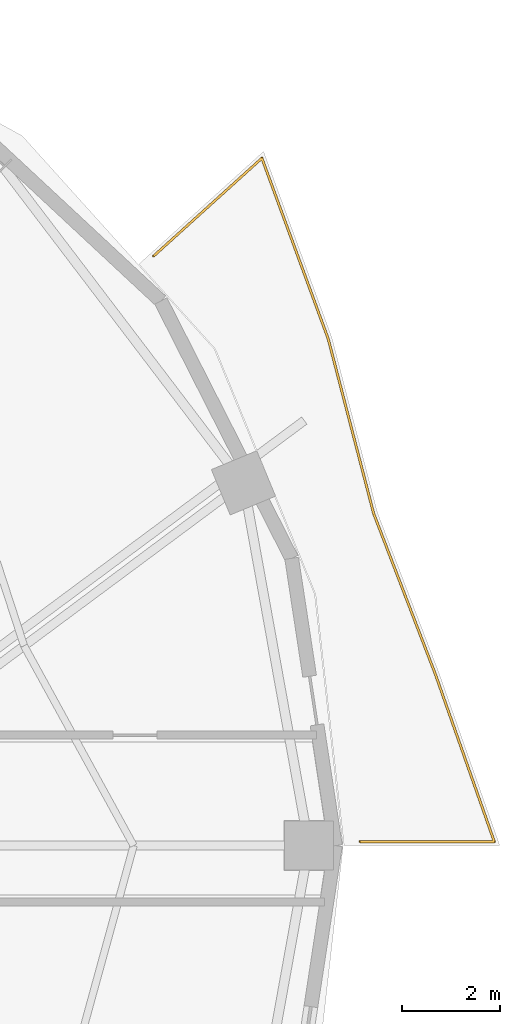
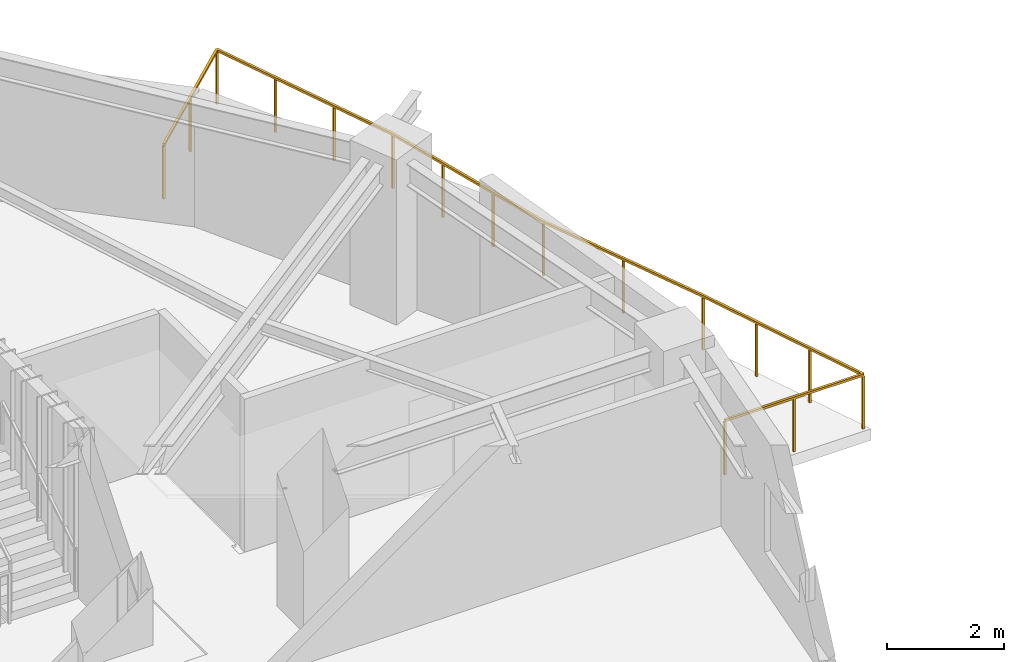
# One storey, part 10 of 10: 1 railing.
"""IFC4 building model written with IfcOpenShell, lengths in metres."""

import ifcopenshell
import ifcopenshell.guid

model = None  # the IFC model being written
_history = None  # IfcOwnerHistory: only IFC2X3 demands one
_inside = {}  # id of a spatial element -> (the spatial element, [elements in it])
_under = {}  # id of a project, library or spatial element -> (it, [spatial elements below it])
_declared = {}  # id of a project -> (the project, [libraries it declares])
_typed = {}  # id of a type object -> (the type object, [elements of that type])
_made_of = {}  # id of a material, layer set ... -> (it, [elements and type objects made of it])


def new_model(schema):
    """Start an empty IFC model of exactly this schema.

    Asked for "IFC4X3", IfcOpenShell would pick the latest addendum, in which some entities
    have other attributes; the version numbers below select the first issue.
    IFC2X3 requires an IfcOwnerHistory on every rooted entity: one is made here for all.
    """
    global model, _history
    if schema == "IFC4X3":
        model = ifcopenshell.file(schema_version=(4, 3, 0, 0))
    else:
        model = ifcopenshell.file(schema=schema)
    _inside.clear()
    _under.clear()
    _declared.clear()
    _typed.clear()
    _made_of.clear()
    _history = None
    if model.schema == "IFC2X3":
        org = make("IfcOrganization", Name="unknown")
        user = make(
            "IfcPersonAndOrganization",
            ThePerson=make("IfcPerson", FamilyName="unknown"),
            TheOrganization=org,
        )
        app = make(
            "IfcApplication",
            ApplicationDeveloper=org,
            Version="unknown",
            ApplicationFullName="unknown",
            ApplicationIdentifier="unknown",
        )
        _history = make(
            "IfcOwnerHistory",
            OwningUser=user,
            OwningApplication=app,
            ChangeAction="ADDED",
            CreationDate=0,
        )
    return model


def make(cls, **values):
    """One entity of the class cls with the attributes given. An attribute that is None is left unset."""
    return model.create_entity(
        cls, **{name: value for name, value in values.items() if value is not None}
    )


def rooted(cls, **values):
    """An entity with a GlobalId (a new one), such as an element, a storey or a relation."""
    return make(cls, GlobalId=ifcopenshell.guid.new(), OwnerHistory=_history, **values)


def si_unit(unit_type, name, prefix=None):
    """IfcSIUnit, for example si_unit("LENGTHUNIT", "METRE", prefix="MILLI")."""
    return make("IfcSIUnit", UnitType=unit_type, Prefix=prefix, Name=name)


def assignment(units):
    """IfcUnitAssignment: the units of a project."""
    return None if units is None else make("IfcUnitAssignment", Units=units)


def point(xyz):
    """IfcCartesianPoint."""
    return None if xyz is None else make("IfcCartesianPoint", Coordinates=xyz)


def direction(xyz):
    """IfcDirection."""
    return None if xyz is None else make("IfcDirection", DirectionRatios=xyz)


def frame(location, z_axis=None, x_axis=None):
    """IfcAxis2Placement3D, a coordinate frame: its origin and axes. An axis left out is left unset."""
    return make(
        "IfcAxis2Placement3D",
        Location=point(location),
        Axis=direction(z_axis),
        RefDirection=direction(x_axis),
    )


def frame_2d(location, x_axis=None):
    """IfcAxis2Placement2D, a coordinate frame in the plane: its origin and x axis."""
    return make(
        "IfcAxis2Placement2D", Location=point(location), RefDirection=direction(x_axis)
    )


def origin():
    """The frame at (0, 0, 0) with its axes left unset."""
    return frame((0.0, 0.0, 0.0))


def origin_2d():
    """The frame at (0, 0) in the plane with its x axis left unset."""
    return frame_2d((0.0, 0.0))


def place(relative_to, where):
    """IfcLocalPlacement: puts the frame where relative to a parent placement (None: the world)."""
    return make(
        "IfcLocalPlacement", PlacementRelTo=relative_to, RelativePlacement=where
    )


def context(
    kind, dimensions, precision=None, world=None, true_north=None, identifier=None
):
    """IfcGeometricRepresentationContext, for example the 3D "Model" context."""
    return make(
        "IfcGeometricRepresentationContext",
        ContextIdentifier=identifier,
        ContextType=kind,
        CoordinateSpaceDimension=dimensions,
        Precision=precision,
        WorldCoordinateSystem=world,
        TrueNorth=true_north,
    )


def subcontext(parent, identifier, kind, view, scale=None):
    """IfcGeometricRepresentationSubContext, for example "Body" below "Model"."""
    return make(
        "IfcGeometricRepresentationSubContext",
        ContextIdentifier=identifier,
        ContextType=kind,
        ParentContext=parent,
        TargetScale=scale,
        TargetView=view,
    )


def project(units=None, contexts=None):
    """IfcProject with its units and contexts."""
    return rooted(
        "IfcProject",
        Name="project",
        RepresentationContexts=contexts,
        UnitsInContext=assignment(units),
    )


def spatial(cls, under=None, at=None, **own):
    """A site, building, storey or space (cls), placed at a placement, below another one or the project."""
    s = rooted(cls, ObjectPlacement=at, **own)
    if under is not None:
        _under.setdefault(under.id(), (under, []))[1].append(s)
    return s


def profile(cls, at=None, kind="AREA", **sizes):
    """A parametric profile (cls). Its sizes go by their IFC names, for example OverallWidth=200.0."""
    return make(cls, ProfileType=kind, Position=at, **sizes)


def rectangle(**sizes):
    """IfcRectangleProfileDef."""
    return profile("IfcRectangleProfileDef", **sizes)


def extrude(swept, where, along, depth):
    """IfcExtrudedAreaSolid: the profile swept, set in the frame where, extruded along a direction by depth."""
    return make(
        "IfcExtrudedAreaSolid",
        SweptArea=swept,
        Position=where,
        ExtrudedDirection=direction(along),
        Depth=depth,
    )


def shape(context_of_items, identifier, shape_type, items):
    """IfcShapeRepresentation: the items that make up one representation, for example the "Body"."""
    return make(
        "IfcShapeRepresentation",
        ContextOfItems=context_of_items,
        RepresentationIdentifier=identifier,
        RepresentationType=shape_type,
        Items=items,
    )


def material(Name=None, Category=None):
    """IfcMaterial."""
    return make("IfcMaterial", Name=Name, Category=Category)


def made_of(thing, what):
    """Note that an element or type object is made of a material, layer set ...; save() writes the relation."""
    if what is not None:
        _made_of.setdefault(what.id(), (what, []))[1].append(thing)
    return thing


def type_object(cls, material=None, **own):
    """A type object (cls), such as IfcWallType, which elements share."""
    return made_of(rooted(cls, **own), material)


def element(
    cls,
    number,
    at=None,
    inside=None,
    cuts=None,
    type_object=None,
    material=None,
    context=None,
    identifier="Body",
    shape_type=None,
    held_by="IfcProductDefinitionShape",
    body=None,
    shapes=None,
    **own,
):
    """One element of the class cls, such as IfcWall. Its Tag is "e" and its number.

    at: its placement. inside: the storey or other place that contains it. cuts: it is an
    opening in that element (IfcRelVoidsElement). A single representation is given by context,
    identifier, shape_type and body (its items); several are given by shapes. held_by: the class
    of the entity that holds the representations. save() writes the other relations.
    """
    e = rooted(cls, Tag="e%d" % number, ObjectPlacement=at, **own)
    if body is not None:
        shapes = [shape(context, identifier, shape_type, body)]
    if shapes is not None:
        e.Representation = make(held_by, Representations=shapes)
    if inside is not None:
        _inside.setdefault(inside.id(), (inside, []))[1].append(e)
    if cuts is not None:
        rooted(
            "IfcRelVoidsElement", RelatingBuildingElement=cuts, RelatedOpeningElement=e
        )
    if type_object is not None:
        _typed.setdefault(type_object.id(), (type_object, []))[1].append(e)
    return made_of(e, material)


def aggregate(whole, parts):
    """IfcRelAggregates: a whole, such as a stair, and the parts it consists of."""
    return rooted("IfcRelAggregates", RelatingObject=whole, RelatedObjects=parts)


def save(model, path):
    """Write the relations noted so far, then the file.

    IfcRelAggregates (storeys below a building ...), IfcRelContainedInSpatialStructure (elements
    in a storey), IfcRelDefinesByType, IfcRelAssociatesMaterial and IfcRelDeclares: one each for
    every whole, place, type object, material and project.
    """
    for whole, parts in _under.values():
        aggregate(whole, parts)
    for where, things in _inside.values():
        rooted(
            "IfcRelContainedInSpatialStructure",
            RelatedElements=things,
            RelatingStructure=where,
        )
    for kind, things in _typed.values():
        rooted("IfcRelDefinesByType", RelatedObjects=things, RelatingType=kind)
    for what, things in _made_of.values():
        rooted("IfcRelAssociatesMaterial", RelatedObjects=things, RelatingMaterial=what)
    for by, libraries in _declared.values():
        rooted("IfcRelDeclares", RelatingContext=by, RelatedDefinitions=libraries)
    model.write(path)


model = new_model("IFC4")

# Units and contexts
model_context = context("Model", 3, precision=1e-05, world=origin(), true_north=direction((0.0, 1.0)))
body_context = subcontext(model_context, "Body", "Model", "MODEL_VIEW")
ifc_project = project(units=[si_unit("LENGTHUNIT", "METRE"), si_unit("AREAUNIT", "SQUARE_METRE"), si_unit("VOLUMEUNIT", "CUBIC_METRE"), si_unit("PLANEANGLEUNIT", "RADIAN"), si_unit("MASSUNIT", "GRAM", prefix="KILO")], contexts=[model_context])

# Site, building, storey
site_placement = place(None, origin())
site = spatial("IfcSite", under=ifc_project, at=site_placement, CompositionType="ELEMENT")
building_placement = place(site_placement, origin())
building = spatial("IfcBuilding", under=site, at=building_placement, Name="Haldorwick Loom Tower", CompositionType="ELEMENT")
storey_placement = place(building_placement, frame((0.0, 0.0, 266.10009765625)))
storey = spatial("IfcBuildingStorey", under=building, at=storey_placement, Name="L72", CompositionType="ELEMENT", Elevation=266.10009765625)

# Railing
ifc_material = material(Name="Galvanized Steel CSA G40.21 350W", Category="steel")
railing_type = type_object("IfcRailingType", Name="ARC-RLG-BAL115", PredefinedType="BALUSTRADE", material=ifc_material)
railing_placement = place(storey_placement, frame((57.177001953125, 38.005615234375, 0.0)))
element("IfcRailing", 1, at=railing_placement, inside=storey, type_object=railing_type, Name="L72 Outdoor Terrace Guardrail SLB-L72-BAL_ENE-1", PredefinedType="BALUSTRADE", context=body_context, shape_type="SweptSolid", body=[
    extrude(rectangle(XDim=0.048095703125, YDim=0.048095703125, at=origin_2d()), frame((0.0, 0.0, 1.1259765625), z_axis=(0.74176749731, 0.670657125463, 0.0), x_axis=(-0.670657125463, 0.74176749731, 0.0)), (0.0, 0.0, 1.0), 2.9697265625),
    extrude(rectangle(XDim=0.048095703125, YDim=0.048095703125, at=origin_2d()), frame((2.202880859375, 1.99169921875, 1.1259765625), z_axis=(0.344532890116, -0.938774247425, 0.0), x_axis=(0.938774247425, 0.344532890116, 0.0)), (0.0, 0.0, 1.0), 3.918701171875),
    extrude(rectangle(XDim=0.048095703125, YDim=0.048095703125, at=origin_2d()), frame((3.552978515625, -1.68701171875, 1.1259765625), z_axis=(0.251875373137, -0.967759679056, 0.0), x_axis=(0.967759679056, 0.251875373137, 0.0)), (0.0, 0.0, 1.0), 3.673583984375),
    extrude(rectangle(XDim=0.048095703125, YDim=0.048095703125, at=origin_2d()), frame((4.478271484375, -5.2421875, 1.1259765625), z_axis=(0.29982659674, -0.953993716901, 0.0), x_axis=(0.953993716901, 0.29982659674, 0.0)), (0.0, 0.0, 1.0), 0.009033203125),
    extrude(rectangle(XDim=0.048095703125, YDim=0.048095703125, at=origin_2d()), frame((4.48095703125, -5.250732421875, 1.1259765625), z_axis=(0.358470319643, -0.933541123858, 0.0), x_axis=(0.933541123858, 0.358470319643, 0.0)), (0.0, 0.0, 1.0), 3.50537109375),
    extrude(rectangle(XDim=0.048095703125, YDim=0.048095703125, at=origin_2d()), frame((5.737548828125, -8.523193359375, 1.1259765625), z_axis=(0.332062355413, -0.943257436821, 0.0), x_axis=(0.943257436821, 0.332062355413, 0.0)), (0.0, 0.0, 1.0), 3.60693359375),
    extrude(rectangle(XDim=0.048095703125, YDim=0.048095703125, at=origin_2d()), frame((6.935302734375, -11.925537109375, 1.1259765625), z_axis=(-1.0, 0.0, 0.0), x_axis=(0.0, -1.0, 0.0)), (0.0, 0.0, 1.0), 2.732421875),
    extrude(rectangle(XDim=0.0419921875, YDim=0.0419921875, at=origin_2d()), origin(), (0.0, 0.0, 1.0), 1.101806640625),
    extrude(rectangle(XDim=0.0419921875, YDim=0.0419921875, at=origin_2d()), frame((1.1015625, 0.995849609375, 0.0)), (0.0, 0.0, 1.0), 1.101806640625),
    extrude(rectangle(XDim=0.0419921875, YDim=0.0419921875, at=origin_2d()), frame((2.202880859375, 1.99169921875, 0.0)), (0.0, 0.0, 1.0), 1.101806640625),
    extrude(rectangle(XDim=0.0419921875, YDim=0.0419921875, at=origin_2d()), frame((2.65283203125, 0.765380859375, 0.0)), (0.0, 0.0, 1.0), 1.101806640625),
    extrude(rectangle(XDim=0.0419921875, YDim=0.0419921875, at=origin_2d()), frame((3.10302734375, -0.460693359375, 0.0)), (0.0, 0.0, 1.0), 1.101806640625),
    extrude(rectangle(XDim=0.0419921875, YDim=0.0419921875, at=origin_2d()), frame((3.552978515625, -1.68701171875, 0.0)), (0.0, 0.0, 1.0), 1.101806640625),
    extrude(rectangle(XDim=0.0419921875, YDim=0.0419921875, at=origin_2d()), frame((3.861328125, -2.8720703125, 0.0)), (0.0, 0.0, 1.0), 1.101806640625),
    extrude(rectangle(XDim=0.0419921875, YDim=0.0419921875, at=origin_2d()), frame((4.169921875, -4.05712890625, 0.0)), (0.0, 0.0, 1.0), 1.101806640625),
    extrude(rectangle(XDim=0.0419921875, YDim=0.0419921875, at=origin_2d()), frame((4.478271484375, -5.2421875, 0.0)), (0.0, 0.0, 1.0), 1.101806640625),
    extrude(rectangle(XDim=0.0419921875, YDim=0.0419921875, at=origin_2d()), frame((5.109375, -6.886962890625, 0.0)), (0.0, 0.0, 1.0), 1.101806640625),
    extrude(rectangle(XDim=0.0419921875, YDim=0.0419921875, at=origin_2d()), frame((5.737548828125, -8.523193359375, 0.0)), (0.0, 0.0, 1.0), 1.101806640625),
    extrude(rectangle(XDim=0.0419921875, YDim=0.0419921875, at=origin_2d()), frame((6.13671875, -9.6572265625, 0.0)), (0.0, 0.0, 1.0), 1.101806640625),
    extrude(rectangle(XDim=0.0419921875, YDim=0.0419921875, at=origin_2d()), frame((6.5361328125, -10.79150390625, 0.0)), (0.0, 0.0, 1.0), 1.101806640625),
    extrude(rectangle(XDim=0.0419921875, YDim=0.0419921875, at=origin_2d()), frame((6.935302734375, -11.925537109375, 0.0)), (0.0, 0.0, 1.0), 1.101806640625),
    extrude(rectangle(XDim=0.0419921875, YDim=0.0419921875, at=origin_2d()), frame((5.569091796875, -11.925537109375, 0.0)), (0.0, 0.0, 1.0), 1.101806640625),
    extrude(rectangle(XDim=0.0419921875, YDim=0.0419921875, at=origin_2d()), frame((4.202880859375, -11.925537109375, 0.0)), (0.0, 0.0, 1.0), 1.101806640625),
])

save(model, "model.ifc")
